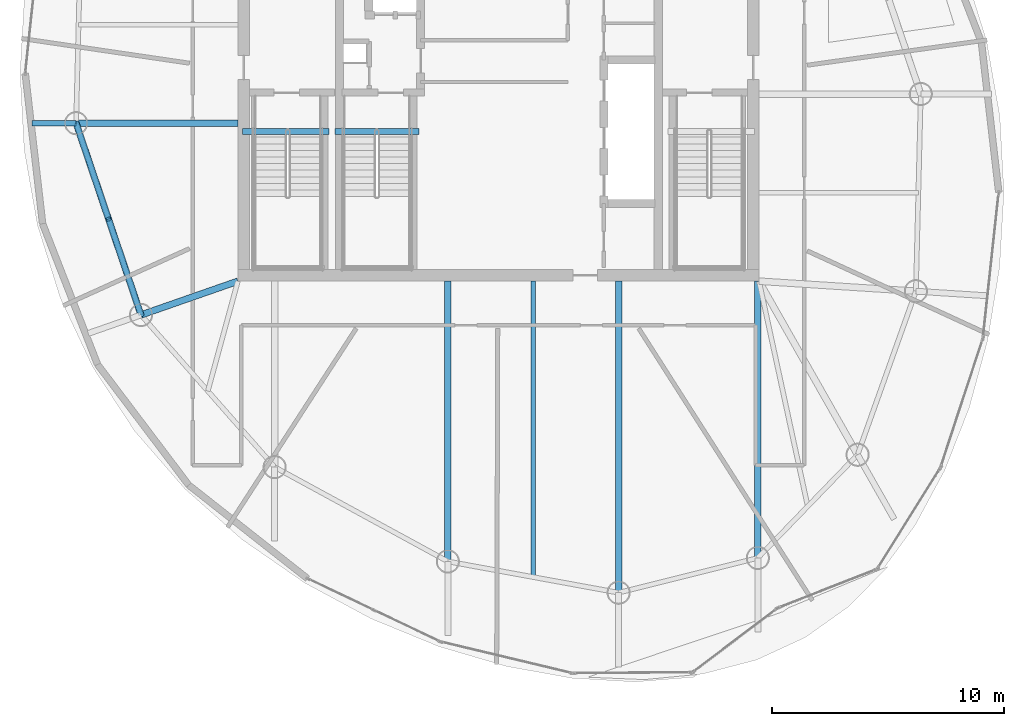
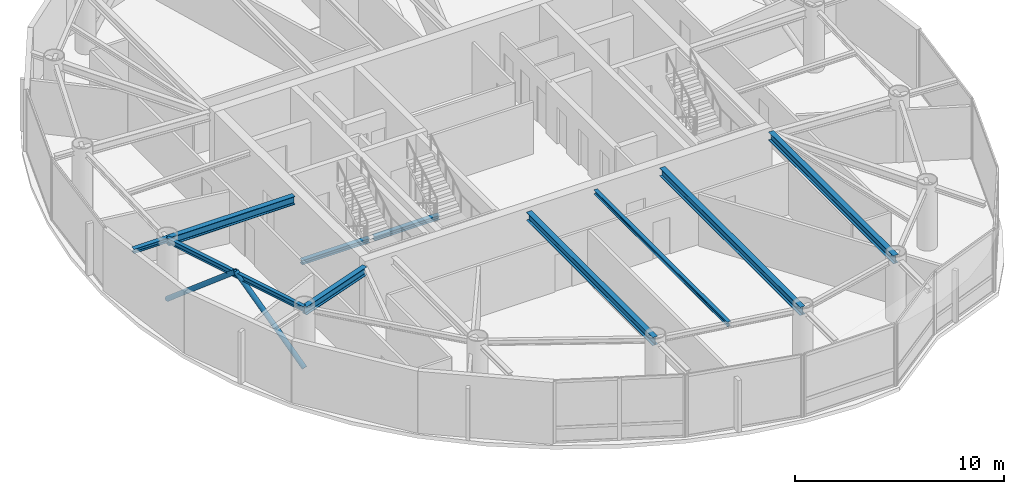
# One storey, part 5 of 20: 10 beams, 2 members.
"""IFC4 building model written with IfcOpenShell, lengths in metres."""

from ifc_helpers import new_model, si_unit, direction, frame, origin, origin_2d, place, context, subcontext, project, spatial, hollow_circle, i_section, extrude, material, material_profile, profile_set, type_object, element, save


model = new_model("IFC4")

# Units and contexts
model_context = context("Model", 3, precision=1e-05, world=origin(), true_north=direction((0.0, 1.0)))
body_context = subcontext(model_context, "Body", "Model", "MODEL_VIEW")
ifc_project = project(units=[si_unit("LENGTHUNIT", "METRE"), si_unit("AREAUNIT", "SQUARE_METRE"), si_unit("VOLUMEUNIT", "CUBIC_METRE"), si_unit("PLANEANGLEUNIT", "RADIAN"), si_unit("MASSUNIT", "GRAM", prefix="KILO")], contexts=[model_context])

# Site, building, storey
site_placement = place(None, origin())
site = spatial("IfcSite", under=ifc_project, at=site_placement, CompositionType="ELEMENT")
building_placement = place(site_placement, origin())
building = spatial("IfcBuilding", under=site, at=building_placement, Name="Bramvorn Convention Spire", CompositionType="ELEMENT")
storey_placement = place(building_placement, frame((0.0, 0.0, 276.699951171875)))
storey = spatial("IfcBuildingStorey", under=building, at=storey_placement, Name="L70", CompositionType="ELEMENT", Elevation=276.699951171875)

# Beams
ifc_material = material(Name="Steel CSA G40.21 Grade 350 (350W)", Category="steel")
ifc_material_profile_1 = material_profile(ifc_material, i_section(OverallWidth=0.201904296875, OverallDepth=0.2470703125, WebThickness=0.00732421875, FlangeThickness=0.010986328125, FilletRadius=0.011962890625, at=origin_2d()))
ifc_profile_set_1 = profile_set([ifc_material_profile_1], Name="Steel CSA G40.21 Grade 350 (350W) - W250X49")
beam_type_1 = type_object("IfcBeamType", Name="BM-W250X49", PredefinedType="JOIST", material=ifc_profile_set_1)
beam_1_placement = place(storey_placement, frame((39.501953125, 18.550048828125, 3.50146484375), z_axis=(0.0, -1.0, 0.0), x_axis=(1.0, 0.0, 0.0)))
element("IfcBeam", 1, at=beam_1_placement, inside=storey, type_object=beam_type_1, Name="L70 composite floor joist 15", PredefinedType="JOIST", context=body_context, shape_type="SweptSolid", body=[
    extrude(i_section(OverallWidth=0.201904296875, OverallDepth=0.2470703125, WebThickness=0.00732421875, FlangeThickness=0.010986328125, FilletRadius=0.011962890625, at=origin_2d()), origin(), (0.0, 0.0, 1.0), 12.77587890625),
])
ifc_material_profile_2 = material_profile(ifc_material, i_section(OverallWidth=0.25390625, OverallDepth=0.2529296875, WebThickness=0.008544921875, FlangeThickness=0.01416015625, FilletRadius=0.011962890625, at=origin_2d()))
ifc_profile_set_2 = profile_set([ifc_material_profile_2], Name="Steel CSA G40.21 Grade 350 (350W) - W250X73")
beam_type_2 = type_object("IfcBeamType", Name="BM-W250X73", PredefinedType="BEAM", material=ifc_profile_set_2)
beam_2_placement = place(storey_placement, frame((19.765380859375, 25.37060546875, 3.49853515625), z_axis=(-1.0, 0.0, 0.0), x_axis=(0.0, -1.0, 0.0)))
element("IfcBeam", 2, at=beam_2_placement, inside=storey, type_object=beam_type_2, Name="L70 slab-edge cantilever tip beam MC12", PredefinedType="BEAM", context=body_context, shape_type="SweptSolid", body=[
    extrude(i_section(OverallWidth=0.25390625, OverallDepth=0.2529296875, WebThickness=0.008544921875, FlangeThickness=0.01416015625, FilletRadius=0.011962890625, at=origin_2d()), origin(), (0.0, 0.0, 1.0), 1.9072265625),
])
beam_3_placement = place(storey_placement, frame((26.949951171875, 25.010009765625, -0.12646484375), z_axis=(1.0, 0.0, 0.0), x_axis=(0.0, 1.0, 0.0)))
element("IfcBeam", 3, at=beam_3_placement, inside=storey, type_object=beam_type_2, Name="L70 ST1 stair arrival header beam", PredefinedType="BEAM", context=body_context, shape_type="SweptSolid", body=[
    extrude(i_section(OverallWidth=0.25390625, OverallDepth=0.2529296875, WebThickness=0.008544921875, FlangeThickness=0.01416015625, FilletRadius=0.011962890625, at=origin_2d()), origin(), (0.0, 0.0, 1.0), 3.739990234375),
])
beam_4_placement = place(storey_placement, frame((30.949951171875, 25.010009765625, -0.12646484375), z_axis=(1.0, 0.0, 0.0), x_axis=(0.0, 1.0, 0.0)))
element("IfcBeam", 4, at=beam_4_placement, inside=storey, type_object=beam_type_2, Name="L70 ST3 stair arrival header beam", PredefinedType="BEAM", context=body_context, shape_type="SweptSolid", body=[
    extrude(i_section(OverallWidth=0.25390625, OverallDepth=0.2529296875, WebThickness=0.008544921875, FlangeThickness=0.01416015625, FilletRadius=0.011962890625, at=origin_2d()), origin(), (0.0, 0.0, 1.0), 3.610107421875),
])
ifc_material_profile_3 = material_profile(ifc_material, i_section(OverallWidth=0.202880859375, OverallDepth=0.302978515625, WebThickness=0.007568359375, FlangeThickness=0.01318359375, FilletRadius=0.013916015625, at=origin_2d()))
ifc_profile_set_3 = profile_set([ifc_material_profile_3], Name="Steel CSA G40.21 Grade 350 (350W) - W310X60")
beam_type_3 = type_object("IfcBeamType", Name="BM-W310X60", PredefinedType="JOIST", material=ifc_profile_set_3)
beam_5_placement = place(storey_placement, frame((19.765380859375, 25.37060546875, 3.4736328125), z_axis=(0.320531023763, -0.947238018032, 0.0), x_axis=(0.947238018032, 0.320531023763, 0.0)))
element("IfcBeam", 5, at=beam_5_placement, inside=storey, type_object=beam_type_3, Name="L70 mega-column ring beam 12", PredefinedType="JOIST", context=body_context, shape_type="SweptSolid", body=[
    extrude(i_section(OverallWidth=0.202880859375, OverallDepth=0.302978515625, WebThickness=0.007568359375, FlangeThickness=0.01318359375, FilletRadius=0.013916015625, at=origin_2d()), origin(), (0.0, 0.0, 1.0), 8.74169921875),
])
ifc_material_profile_4 = material_profile(ifc_material, i_section(OverallWidth=0.283935546875, OverallDepth=0.47607421875, WebThickness=0.014892578125, FlangeThickness=0.02392578125, FilletRadius=0.01806640625, at=origin_2d()))
ifc_profile_set_4 = profile_set([ifc_material_profile_4], Name="Steel CSA G40.21 Grade 350 (350W) - W460X158")
beam_type_4 = type_object("IfcBeamType", Name="BM-W460X158", PredefinedType="SPANDREL", material=ifc_profile_set_4)
beam_6_placement = place(storey_placement, frame((49.199951171875, 18.550048828125, 3.386962890625), z_axis=(0.0, -1.0, 0.0), x_axis=(1.0, 0.0, 0.0)))
element("IfcBeam", 6, at=beam_6_placement, inside=storey, type_object=beam_type_4, Name="L70 radial floor girder MC01", PredefinedType="SPANDREL", context=body_context, shape_type="SweptSolid", body=[
    extrude(i_section(OverallWidth=0.283935546875, OverallDepth=0.47607421875, WebThickness=0.014892578125, FlangeThickness=0.02392578125, FilletRadius=0.01806640625, at=origin_2d()), origin(), (0.0, 0.0, 1.0), 11.948974609375),
])
beam_7_placement = place(storey_placement, frame((26.75, 25.37060546875, 3.386962890625), z_axis=(-1.0, 0.0, 0.0), x_axis=(0.0, -1.0, 0.0)))
element("IfcBeam", 7, at=beam_7_placement, inside=storey, type_object=beam_type_4, Name="L70 radial floor girder MC12", PredefinedType="SPANDREL", context=body_context, shape_type="SweptSolid", body=[
    extrude(i_section(OverallWidth=0.283935546875, OverallDepth=0.47607421875, WebThickness=0.014892578125, FlangeThickness=0.02392578125, FilletRadius=0.01806640625, at=origin_2d()), origin(), (0.0, 0.0, 1.0), 6.984619140625),
])
beam_8_placement = place(storey_placement, frame((26.75, 18.550048828125, 3.386962890625), z_axis=(-0.944136391877, -0.329554962843, 0.0), x_axis=(0.329554962843, -0.944136391877, 0.0)))
element("IfcBeam", 8, at=beam_8_placement, inside=storey, type_object=beam_type_4, Name="L70 radial floor girder MC13", PredefinedType="SPANDREL", context=body_context, shape_type="SweptSolid", body=[
    extrude(i_section(OverallWidth=0.283935546875, OverallDepth=0.47607421875, WebThickness=0.014892578125, FlangeThickness=0.02392578125, FilletRadius=0.01806640625, at=origin_2d()), origin(), (0.0, 0.0, 1.0), 4.43017578125),
])
beam_9_placement = place(storey_placement, frame((35.8154296875, 18.550048828125, 3.386962890625), z_axis=(0.0, -1.0, 0.0), x_axis=(1.0, 0.0, 0.0)))
element("IfcBeam", 9, at=beam_9_placement, inside=storey, type_object=beam_type_4, Name="L70 radial floor girder MC15", PredefinedType="SPANDREL", context=body_context, shape_type="SweptSolid", body=[
    extrude(i_section(OverallWidth=0.283935546875, OverallDepth=0.47607421875, WebThickness=0.014892578125, FlangeThickness=0.02392578125, FilletRadius=0.01806640625, at=origin_2d()), origin(), (0.0, 0.0, 1.0), 12.100830078125),
])
beam_10_placement = place(storey_placement, frame((43.1884765625, 18.550048828125, 3.386962890625), z_axis=(0.0, -1.0, 0.0), x_axis=(1.0, 0.0, 0.0)))
element("IfcBeam", 10, at=beam_10_placement, inside=storey, type_object=beam_type_4, Name="L70 radial floor girder MC16", PredefinedType="SPANDREL", context=body_context, shape_type="SweptSolid", body=[
    extrude(i_section(OverallWidth=0.283935546875, OverallDepth=0.47607421875, WebThickness=0.014892578125, FlangeThickness=0.02392578125, FilletRadius=0.01806640625, at=origin_2d()), origin(), (0.0, 0.0, 1.0), 13.450927734375),
])

# Members
ifc_material_profile_5 = material_profile(ifc_material, hollow_circle(Radius=0.136474609375, WallThickness=0.0126953125, at=origin_2d()))
ifc_profile_set_5 = profile_set([ifc_material_profile_5], Name="Steel CSA G40.21 Grade 350 (350W) - CHS273X13")
member_type = type_object("IfcMemberType", Name="MBR-CHS273X13", PredefinedType="BRACE", material=ifc_profile_set_5)
member_1_placement = place(storey_placement, frame((19.765380859375, 25.37060546875, 0.0), z_axis=(0.246737306961, -0.729119705305, 0.638361305759), x_axis=(0.947232407912, 0.320547602394, 0.0)))
element("IfcMember", 11, at=member_1_placement, inside=storey, type_object=member_type, Name="L70 perimeter Gothic lancet brace 12A", PredefinedType="BRACE", context=body_context, shape_type="SweptSolid", body=[
    extrude(hollow_circle(Radius=0.136474609375, WallThickness=0.0126953125, at=origin_2d()), origin(), (0.0, 0.0, 1.0), 5.6787109375),
])
member_2_placement = place(storey_placement, frame((22.5673828125, 17.090087890625, 0.0), z_axis=(-0.246704664157, 0.729107301286, 0.638388088778), x_axis=(-0.947243628259, -0.320514443859, 0.0)))
element("IfcMember", 12, at=member_2_placement, inside=storey, type_object=member_type, Name="L70 perimeter Gothic lancet brace 12B", PredefinedType="BRACE", context=body_context, shape_type="SweptSolid", body=[
    extrude(hollow_circle(Radius=0.136474609375, WallThickness=0.0126953125, at=origin_2d()), origin(), (0.0, 0.0, 1.0), 5.678466796875),
])

save(model, "model.ifc")
